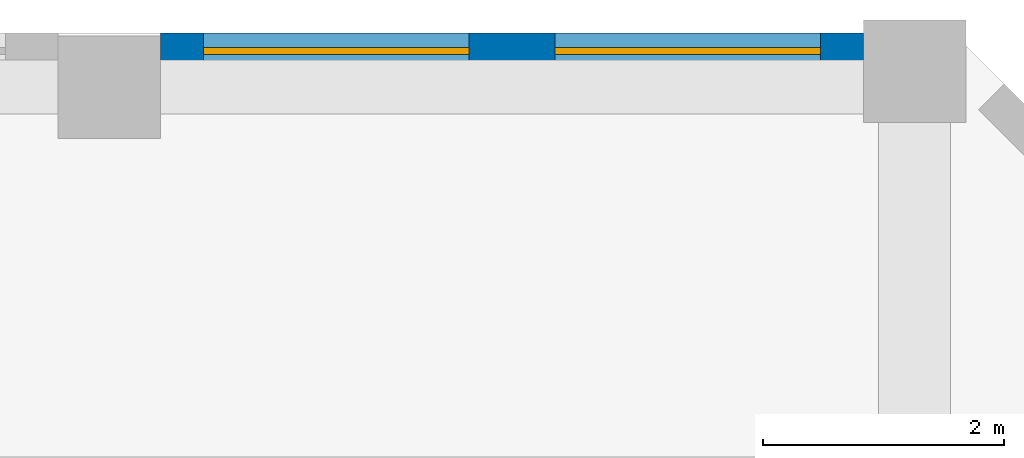
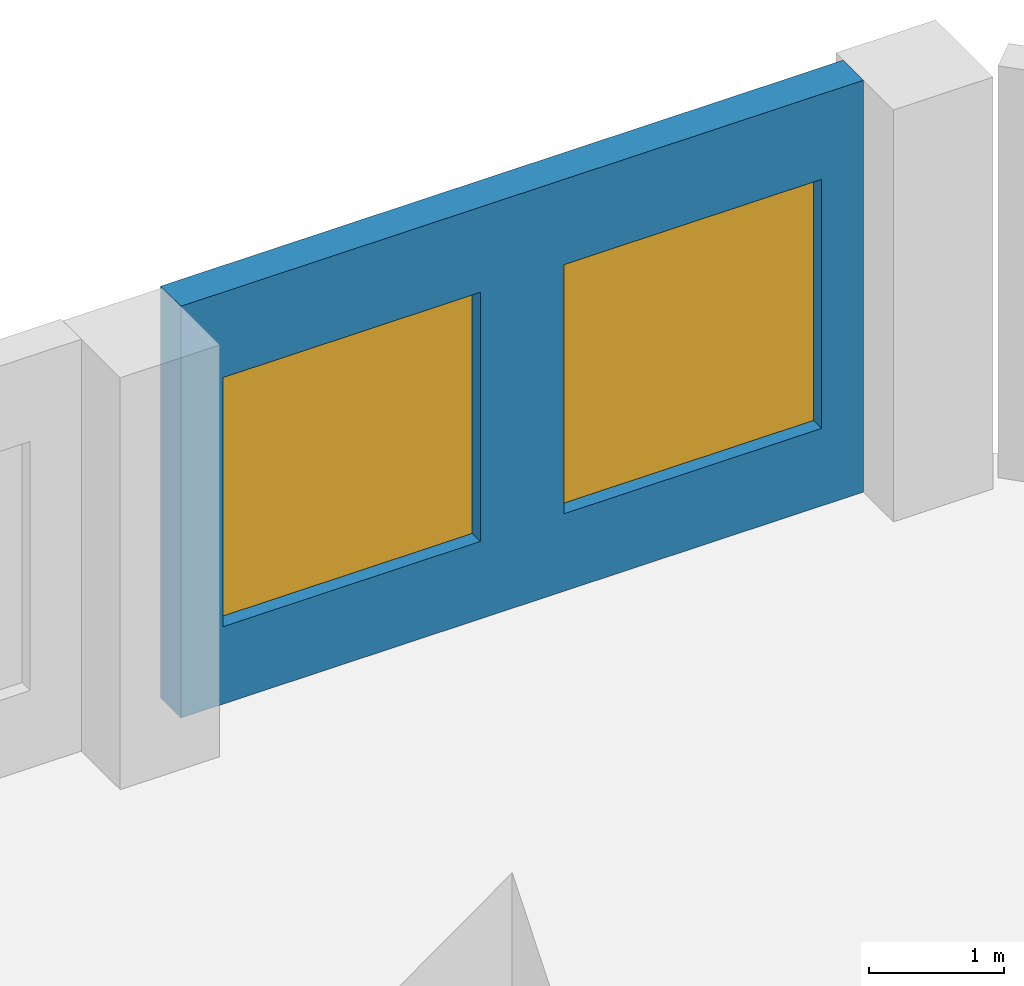
# One storey, part 18 of 27: 2 windows, 1 wall, 2 openings.
"""IFC4 building model written with IfcOpenShell, lengths in metres."""

import ifcopenshell
import ifcopenshell.guid

model = None  # the IFC model being written
_history = None  # IfcOwnerHistory: only IFC2X3 demands one
_inside = {}  # id of a spatial element -> (the spatial element, [elements in it])
_under = {}  # id of a project, library or spatial element -> (it, [spatial elements below it])
_declared = {}  # id of a project -> (the project, [libraries it declares])
_typed = {}  # id of a type object -> (the type object, [elements of that type])
_made_of = {}  # id of a material, layer set ... -> (it, [elements and type objects made of it])


def new_model(schema):
    """Start an empty IFC model of exactly this schema.

    Asked for "IFC4X3", IfcOpenShell would pick the latest addendum, in which some entities
    have other attributes; the version numbers below select the first issue.
    IFC2X3 requires an IfcOwnerHistory on every rooted entity: one is made here for all.
    """
    global model, _history
    if schema == "IFC4X3":
        model = ifcopenshell.file(schema_version=(4, 3, 0, 0))
    else:
        model = ifcopenshell.file(schema=schema)
    _inside.clear()
    _under.clear()
    _declared.clear()
    _typed.clear()
    _made_of.clear()
    _history = None
    if model.schema == "IFC2X3":
        org = make("IfcOrganization", Name="unknown")
        user = make(
            "IfcPersonAndOrganization",
            ThePerson=make("IfcPerson", FamilyName="unknown"),
            TheOrganization=org,
        )
        app = make(
            "IfcApplication",
            ApplicationDeveloper=org,
            Version="unknown",
            ApplicationFullName="unknown",
            ApplicationIdentifier="unknown",
        )
        _history = make(
            "IfcOwnerHistory",
            OwningUser=user,
            OwningApplication=app,
            ChangeAction="ADDED",
            CreationDate=0,
        )
    return model


def make(cls, **values):
    """One entity of the class cls with the attributes given. An attribute that is None is left unset."""
    return model.create_entity(
        cls, **{name: value for name, value in values.items() if value is not None}
    )


def rooted(cls, **values):
    """An entity with a GlobalId (a new one), such as an element, a storey or a relation."""
    return make(cls, GlobalId=ifcopenshell.guid.new(), OwnerHistory=_history, **values)


def si_unit(unit_type, name, prefix=None):
    """IfcSIUnit, for example si_unit("LENGTHUNIT", "METRE", prefix="MILLI")."""
    return make("IfcSIUnit", UnitType=unit_type, Prefix=prefix, Name=name)


def assignment(units):
    """IfcUnitAssignment: the units of a project."""
    return None if units is None else make("IfcUnitAssignment", Units=units)


def point(xyz):
    """IfcCartesianPoint."""
    return None if xyz is None else make("IfcCartesianPoint", Coordinates=xyz)


def direction(xyz):
    """IfcDirection."""
    return None if xyz is None else make("IfcDirection", DirectionRatios=xyz)


def frame(location, z_axis=None, x_axis=None):
    """IfcAxis2Placement3D, a coordinate frame: its origin and axes. An axis left out is left unset."""
    return make(
        "IfcAxis2Placement3D",
        Location=point(location),
        Axis=direction(z_axis),
        RefDirection=direction(x_axis),
    )


def frame_2d(location, x_axis=None):
    """IfcAxis2Placement2D, a coordinate frame in the plane: its origin and x axis."""
    return make(
        "IfcAxis2Placement2D", Location=point(location), RefDirection=direction(x_axis)
    )


def origin():
    """The frame at (0, 0, 0) with its axes left unset."""
    return frame((0.0, 0.0, 0.0))


def place(relative_to, where):
    """IfcLocalPlacement: puts the frame where relative to a parent placement (None: the world)."""
    return make(
        "IfcLocalPlacement", PlacementRelTo=relative_to, RelativePlacement=where
    )


def context(
    kind, dimensions, precision=None, world=None, true_north=None, identifier=None
):
    """IfcGeometricRepresentationContext, for example the 3D "Model" context."""
    return make(
        "IfcGeometricRepresentationContext",
        ContextIdentifier=identifier,
        ContextType=kind,
        CoordinateSpaceDimension=dimensions,
        Precision=precision,
        WorldCoordinateSystem=world,
        TrueNorth=true_north,
    )


def subcontext(parent, identifier, kind, view, scale=None):
    """IfcGeometricRepresentationSubContext, for example "Body" below "Model"."""
    return make(
        "IfcGeometricRepresentationSubContext",
        ContextIdentifier=identifier,
        ContextType=kind,
        ParentContext=parent,
        TargetScale=scale,
        TargetView=view,
    )


def project(units=None, contexts=None):
    """IfcProject with its units and contexts."""
    return rooted(
        "IfcProject",
        Name="project",
        RepresentationContexts=contexts,
        UnitsInContext=assignment(units),
    )


def spatial(cls, under=None, at=None, **own):
    """A site, building, storey or space (cls), placed at a placement, below another one or the project."""
    s = rooted(cls, ObjectPlacement=at, **own)
    if under is not None:
        _under.setdefault(under.id(), (under, []))[1].append(s)
    return s


def profile(cls, at=None, kind="AREA", **sizes):
    """A parametric profile (cls). Its sizes go by their IFC names, for example OverallWidth=200.0."""
    return make(cls, ProfileType=kind, Position=at, **sizes)


def rectangle(**sizes):
    """IfcRectangleProfileDef."""
    return profile("IfcRectangleProfileDef", **sizes)


def extrude(swept, where, along, depth):
    """IfcExtrudedAreaSolid: the profile swept, set in the frame where, extruded along a direction by depth."""
    return make(
        "IfcExtrudedAreaSolid",
        SweptArea=swept,
        Position=where,
        ExtrudedDirection=direction(along),
        Depth=depth,
    )


def shape(context_of_items, identifier, shape_type, items):
    """IfcShapeRepresentation: the items that make up one representation, for example the "Body"."""
    return make(
        "IfcShapeRepresentation",
        ContextOfItems=context_of_items,
        RepresentationIdentifier=identifier,
        RepresentationType=shape_type,
        Items=items,
    )


def source(mapping_origin, context_of_items, identifier, shape_type, items):
    """IfcRepresentationMap: a shape defined once, which mapped items show again and again."""
    return make(
        "IfcRepresentationMap",
        MappingOrigin=mapping_origin,
        MappedRepresentation=shape(context_of_items, identifier, shape_type, items),
    )


def transform(
    local_origin,
    x_axis=None,
    y_axis=None,
    z_axis=None,
    scale=None,
    scale2=None,
    scale3=None,
    uniform=True,
):
    """IfcCartesianTransformationOperator3D, or its non-uniform kind. x_axis, y_axis, z_axis: its Axis1, 2, 3."""
    if uniform:
        return make(
            "IfcCartesianTransformationOperator3D",
            Axis1=direction(x_axis),
            Axis2=direction(y_axis),
            LocalOrigin=point(local_origin),
            Scale=scale,
            Axis3=direction(z_axis),
        )
    return make(
        "IfcCartesianTransformationOperator3DnonUniform",
        Axis1=direction(x_axis),
        Axis2=direction(y_axis),
        LocalOrigin=point(local_origin),
        Scale=scale,
        Axis3=direction(z_axis),
        Scale2=scale2,
        Scale3=scale3,
    )


def mapped(mapping_source, mapping_target):
    """IfcMappedItem: shows the shape of a source again, moved by a transform."""
    return make(
        "IfcMappedItem", MappingSource=mapping_source, MappingTarget=mapping_target
    )


def material(Name=None, Category=None):
    """IfcMaterial."""
    return make("IfcMaterial", Name=Name, Category=Category)


def layer(
    of_material, thickness, ventilated=None, Name=None, Category=None, Priority=None
):
    """IfcMaterialLayer: one layer of a wall or slab, of a material (None: an air gap)."""
    return make(
        "IfcMaterialLayer",
        Material=of_material,
        LayerThickness=thickness,
        IsVentilated=ventilated,
        Name=Name,
        Category=Category,
        Priority=Priority,
    )


def layer_set(layers, Name=None):
    """IfcMaterialLayerSet."""
    return make("IfcMaterialLayerSet", MaterialLayers=layers, LayerSetName=Name)


def made_of(thing, what):
    """Note that an element or type object is made of a material, layer set ...; save() writes the relation."""
    if what is not None:
        _made_of.setdefault(what.id(), (what, []))[1].append(thing)
    return thing


def type_object(cls, material=None, **own):
    """A type object (cls), such as IfcWallType, which elements share."""
    return made_of(rooted(cls, **own), material)


def element(
    cls,
    number,
    at=None,
    inside=None,
    cuts=None,
    type_object=None,
    material=None,
    context=None,
    identifier="Body",
    shape_type=None,
    held_by="IfcProductDefinitionShape",
    body=None,
    shapes=None,
    **own,
):
    """One element of the class cls, such as IfcWall. Its Tag is "e" and its number.

    at: its placement. inside: the storey or other place that contains it. cuts: it is an
    opening in that element (IfcRelVoidsElement). A single representation is given by context,
    identifier, shape_type and body (its items); several are given by shapes. held_by: the class
    of the entity that holds the representations. save() writes the other relations.
    """
    e = rooted(cls, Tag="e%d" % number, ObjectPlacement=at, **own)
    if body is not None:
        shapes = [shape(context, identifier, shape_type, body)]
    if shapes is not None:
        e.Representation = make(held_by, Representations=shapes)
    if inside is not None:
        _inside.setdefault(inside.id(), (inside, []))[1].append(e)
    if cuts is not None:
        rooted(
            "IfcRelVoidsElement", RelatingBuildingElement=cuts, RelatedOpeningElement=e
        )
    if type_object is not None:
        _typed.setdefault(type_object.id(), (type_object, []))[1].append(e)
    return made_of(e, material)


def fill(opening, filler):
    """IfcRelFillsElement: the door or window that sits in an opening."""
    return rooted(
        "IfcRelFillsElement",
        RelatingOpeningElement=opening,
        RelatedBuildingElement=filler,
    )


def aggregate(whole, parts):
    """IfcRelAggregates: a whole, such as a stair, and the parts it consists of."""
    return rooted("IfcRelAggregates", RelatingObject=whole, RelatedObjects=parts)


def save(model, path):
    """Write the relations noted so far, then the file.

    IfcRelAggregates (storeys below a building ...), IfcRelContainedInSpatialStructure (elements
    in a storey), IfcRelDefinesByType, IfcRelAssociatesMaterial and IfcRelDeclares: one each for
    every whole, place, type object, material and project.
    """
    for whole, parts in _under.values():
        aggregate(whole, parts)
    for where, things in _inside.values():
        rooted(
            "IfcRelContainedInSpatialStructure",
            RelatedElements=things,
            RelatingStructure=where,
        )
    for kind, things in _typed.values():
        rooted("IfcRelDefinesByType", RelatedObjects=things, RelatingType=kind)
    for what, things in _made_of.values():
        rooted("IfcRelAssociatesMaterial", RelatedObjects=things, RelatingMaterial=what)
    for by, libraries in _declared.values():
        rooted("IfcRelDeclares", RelatingContext=by, RelatedDefinitions=libraries)
    model.write(path)


model = new_model("IFC4")

# Units and contexts
model_context = context("Model", 3, precision=1e-05, world=origin(), true_north=direction((0.0, 1.0)))
body_context = subcontext(model_context, "Body", "Model", "MODEL_VIEW")
ifc_project = project(units=[si_unit("LENGTHUNIT", "METRE"), si_unit("AREAUNIT", "SQUARE_METRE"), si_unit("VOLUMEUNIT", "CUBIC_METRE"), si_unit("PLANEANGLEUNIT", "RADIAN"), si_unit("MASSUNIT", "GRAM", prefix="KILO")], contexts=[model_context])

# Site, building, storey
site_placement = place(None, origin())
site = spatial("IfcSite", under=ifc_project, at=site_placement, CompositionType="ELEMENT")
building_placement = place(site_placement, origin())
building = spatial("IfcBuilding", under=site, at=building_placement, Name="Kilnfold Tower and Market Hall", CompositionType="ELEMENT")
storey_placement = place(building_placement, frame((0.0, 0.0, 112.60009765625)))
storey = spatial("IfcBuildingStorey", under=building, at=storey_placement, Name="L26", CompositionType="ELEMENT", Elevation=112.60009765625)

# Wall, openings, windows
ifc_material_1 = material(Name="Precast concrete C50/60", Category="concrete")
ifc_layer = layer(ifc_material_1, 0.300048828125)
ifc_layer_set = layer_set([ifc_layer], Name="Precast concrete C50/60")
wall_type = type_object("IfcWallType", Name="PRECAST WALL 300", PredefinedType="SOLIDWALL", material=ifc_layer_set)
shared_shape = source(origin(), body_context, "Body", "SweptSolid", [
    extrude(rectangle(XDim=5.831787109375, YDim=0.300048828125, at=frame_2d((2.916015625, 0.0))), origin(), (0.0, 0.0, 1.0), 3.719970703125),
])
wall_placement = place(storey_placement, frame((28.7568359375, 32.85009765625, 0.0), z_axis=(0.0, 0.0, 1.0), x_axis=(-1.0, 0.0, 0.0)))
wall = element("IfcWall", 1, at=wall_placement, inside=storey, type_object=wall_type, Name="External wall L26 N", PredefinedType="SOLIDWALL", context=body_context, shape_type="MappedRepresentation", body=[
    mapped(shared_shape, transform((0.0, 0.0, 0.0))),
])
opening_1_placement = place(wall_placement, frame((0.35791015625, 0.0, 0.699951171875)))
opening_1 = element("IfcOpeningElement", 2, at=opening_1_placement, cuts=wall, Name="Opening W1", PredefinedType="OPENING", context=body_context, shape_type="SweptSolid", body=[
    extrude(rectangle(XDim=2.199951171875, YDim=2.25, at=frame_2d((1.10009765625, 1.125))), frame((0.0, 0.16015625, 0.0), z_axis=(0.0, -1.0, 0.0), x_axis=(1.0, 0.0, 0.0)), (0.0, 0.0, 1.0), 0.320068359375),
])
opening_2_placement = place(wall_placement, frame((3.273681640625, 0.0, 0.699951171875)))
opening_2 = element("IfcOpeningElement", 3, at=opening_2_placement, cuts=wall, Name="Opening W1", PredefinedType="OPENING", context=body_context, shape_type="SweptSolid", body=[
    extrude(rectangle(XDim=2.199951171875, YDim=2.25, at=frame_2d((1.10009765625, 1.125))), frame((0.0, 0.16015625, 0.0), z_axis=(0.0, -1.0, 0.0), x_axis=(1.0, 0.0, 0.0)), (0.0, 0.0, 1.0), 0.320068359375),
])
ifc_material_2 = material(Name="Aluminium frame and double glazing", Category="aluminium")
window_type = type_object("IfcWindowType", Name="WINDOW W1 2200X2250", PartitioningType="SINGLE_PANEL", PredefinedType="WINDOW", material=ifc_material_2)
window_1_placement = place(opening_1_placement, origin())
window_1 = element("IfcWindow", 4, at=window_1_placement, inside=storey, type_object=window_type, Name="Window W1 L26 N-1", OverallHeight=2.25, OverallWidth=2.199951171875, PartitioningType="SINGLE_PANEL", PredefinedType="WINDOW", context=body_context, shape_type="SweptSolid", body=[
    extrude(rectangle(XDim=2.199951171875, YDim=2.25, at=frame_2d((1.10009765625, 1.125))), frame((0.0, 0.030029296875, 0.0), z_axis=(0.0, -1.0, 0.0), x_axis=(1.0, 0.0, 0.0)), (0.0, 0.0, 1.0), 0.06005859375),
])
fill(opening_1, window_1)
window_2_placement = place(opening_2_placement, origin())
window_2 = element("IfcWindow", 5, at=window_2_placement, inside=storey, type_object=window_type, Name="Window W1 L26 N-2", OverallHeight=2.25, OverallWidth=2.199951171875, PartitioningType="SINGLE_PANEL", PredefinedType="WINDOW", context=body_context, shape_type="SweptSolid", body=[
    extrude(rectangle(XDim=2.199951171875, YDim=2.25, at=frame_2d((1.10009765625, 1.125))), frame((0.0, 0.030029296875, 0.0), z_axis=(0.0, -1.0, 0.0), x_axis=(1.0, 0.0, 0.0)), (0.0, 0.0, 1.0), 0.06005859375),
])
fill(opening_2, window_2)

save(model, "model.ifc")
